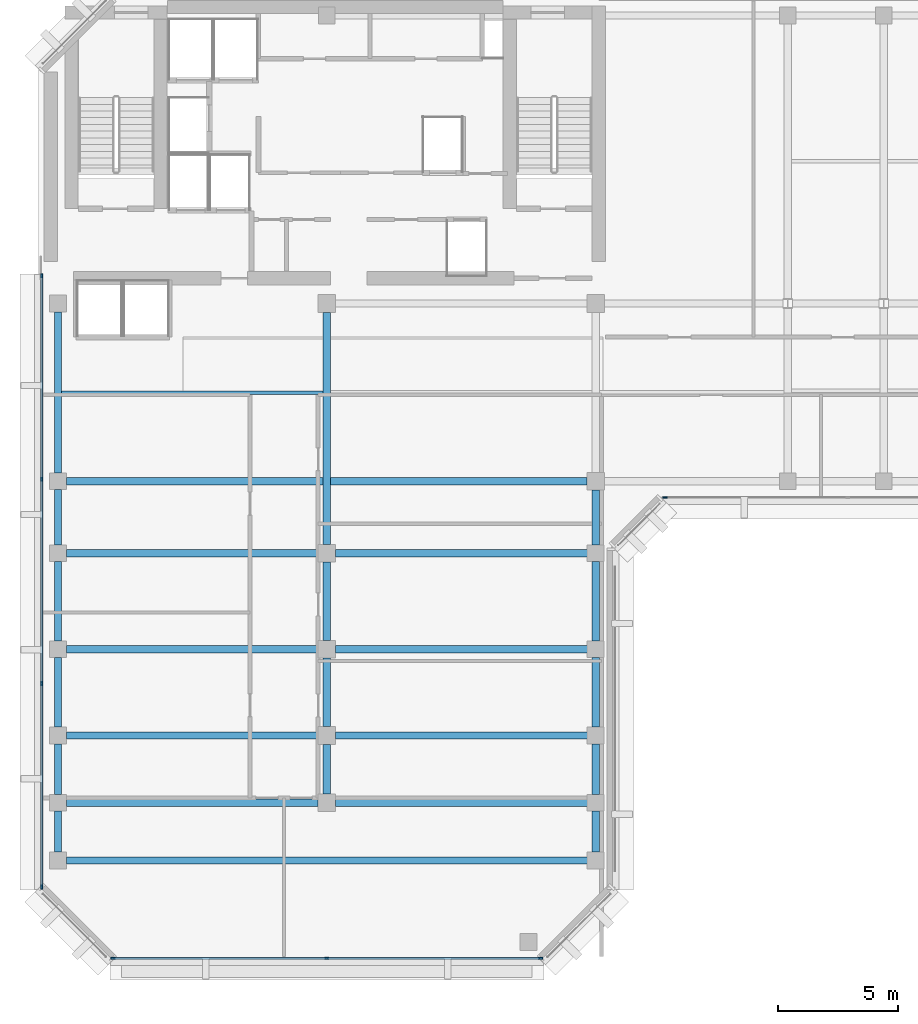
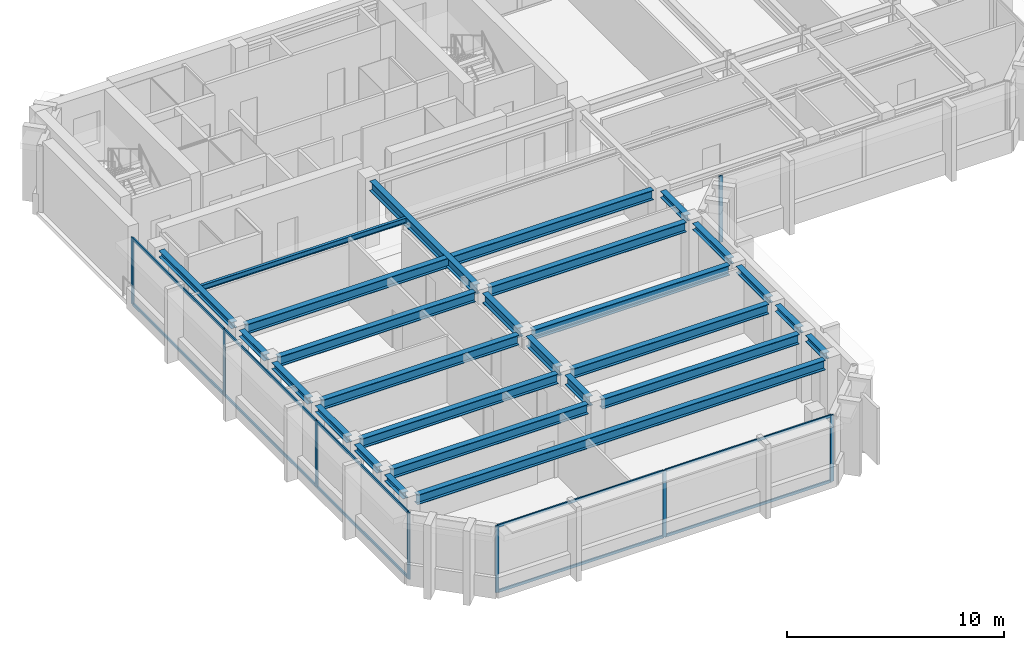
# One storey, part 2 of 11: 26 beams, 18 members, 3 elements without a shape of their own.
"""IFC4 building model written with IfcOpenShell, lengths in metres."""

from ifc_helpers import new_model, si_unit, direction, frame, origin, origin_2d, place, context, subcontext, project, spatial, rectangle, i_section, extrude, material, layer, layer_set, material_profile, profile_set, type_object, element, aggregate, save


model = new_model("IFC4")

# Units and contexts
model_context = context("Model", 3, precision=1e-05, world=origin(), true_north=direction((0.0, 1.0)))
body_context = subcontext(model_context, "Body", "Model", "MODEL_VIEW")
ifc_project = project(units=[si_unit("LENGTHUNIT", "METRE"), si_unit("AREAUNIT", "SQUARE_METRE"), si_unit("VOLUMEUNIT", "CUBIC_METRE"), si_unit("PLANEANGLEUNIT", "RADIAN"), si_unit("MASSUNIT", "GRAM", prefix="KILO")], contexts=[model_context])

# Site, building, storey
site_placement = place(None, origin())
site = spatial("IfcSite", under=ifc_project, at=site_placement, CompositionType="ELEMENT")
building_placement = place(site_placement, origin())
building = spatial("IfcBuilding", under=site, at=building_placement, Name="Kefirva Bronze Tower", CompositionType="ELEMENT")
storey_placement = place(building_placement, frame((0.0, 0.0, 299.969970703125)))
storey = spatial("IfcBuildingStorey", under=building, at=storey_placement, Name="L73", CompositionType="ELEMENT", Elevation=299.969970703125)

# Curtain wall, members
ifc_material_1 = material(Name="Bronze anodised aluminium", Category="aluminium")
ifc_layer = layer(ifc_material_1, 0.179931640625, Name="Bronze anodised aluminium")
ifc_layer_set = layer_set([ifc_layer], Name="Bronze anodised aluminium")
curtain_wall_type = type_object("IfcCurtainWallType", Name="Unitised Bronze Ribbon Curtain Wall Zone 4", PredefinedType="USERDEFINED", material=ifc_layer_set)
curtain_wall_1_placement = place(storey_placement, origin())
curtain_wall_1 = element("IfcCurtainWall", 1, at=curtain_wall_1_placement, inside=storey, type_object=curtain_wall_type, Name="L73 Curtain Wall 1", ObjectType="UNITISED CURTAIN WALL", PredefinedType="USERDEFINED")
ifc_material_profile_1 = material_profile(ifc_material_1, rectangle(XDim=0.074951171875, YDim=0.179931640625, at=origin_2d()), Name="ALU 75x180")
ifc_profile_set_1 = profile_set([ifc_material_profile_1], Name="Bronze anodised aluminium")
member_type_1 = type_object("IfcMemberType", Name="Bronze Mullion 75x180", PredefinedType="MULLION", material=ifc_profile_set_1)
member_1_placement = place(storey_placement, frame((3.092529296875, 5.919921875, 0.0), z_axis=(0.0, 0.0, 1.0), x_axis=(0.0, 1.0, 0.0)))
member_1 = element("IfcMember", 2, at=member_1_placement, type_object=member_type_1, Name="CW-04 mullion 1", PredefinedType="MULLION", context=body_context, shape_type="SweptSolid", body=[
    extrude(rectangle(XDim=0.074951171875, YDim=0.179931640625, at=origin_2d()), origin(), (0.0, 0.0, 1.0), 3.739990234375),
])
member_2_placement = place(storey_placement, frame((12.0, 5.919921875, 0.0), z_axis=(0.0, 0.0, 1.0), x_axis=(0.0, 1.0, 0.0)))
member_2 = element("IfcMember", 3, at=member_2_placement, type_object=member_type_1, Name="CW-04 mullion 2", PredefinedType="MULLION", context=body_context, shape_type="SweptSolid", body=[
    extrude(rectangle(XDim=0.074951171875, YDim=0.179931640625, at=origin_2d()), origin(), (0.0, 0.0, 1.0), 3.739990234375),
])
member_3_placement = place(storey_placement, frame((20.907470703125, 5.919921875, 0.0), z_axis=(0.0, 0.0, 1.0), x_axis=(0.0, 1.0, 0.0)))
member_3 = element("IfcMember", 4, at=member_3_placement, type_object=member_type_1, Name="CW-04 mullion 3", PredefinedType="MULLION", context=body_context, shape_type="SweptSolid", body=[
    extrude(rectangle(XDim=0.074951171875, YDim=0.179931640625, at=origin_2d()), origin(), (0.0, 0.0, 1.0), 3.739990234375),
])

# Curtain wall, member
curtain_wall_2_placement = place(storey_placement, origin())
curtain_wall_2 = element("IfcCurtainWall", 5, at=curtain_wall_2_placement, inside=storey, type_object=curtain_wall_type, Name="L73 Curtain Wall 2", ObjectType="UNITISED CURTAIN WALL", PredefinedType="USERDEFINED")
member_4_placement = place(storey_placement, frame((26.092529296875, 25.1201171875, 0.0), z_axis=(0.0, 0.0, 1.0), x_axis=(0.0, 1.0, 0.0)))
member_4 = element("IfcMember", 6, at=member_4_placement, type_object=member_type_1, Name="CW-04 mullion 1", PredefinedType="MULLION", context=body_context, shape_type="SweptSolid", body=[
    extrude(rectangle(XDim=0.074951171875, YDim=0.179931640625, at=origin_2d()), origin(), (0.0, 0.0, 1.0), 3.739990234375),
])
aggregate(curtain_wall_2, [member_4])

# Curtain wall, members
curtain_wall_3_placement = place(storey_placement, origin())
curtain_wall_3 = element("IfcCurtainWall", 7, at=curtain_wall_3_placement, inside=storey, type_object=curtain_wall_type, Name="L73 Curtain Wall 5", ObjectType="UNITISED CURTAIN WALL", PredefinedType="USERDEFINED")
member_5_placement = place(storey_placement, frame((0.1201171875, 34.357421875, 0.0), z_axis=(0.0, 0.0, 1.0), x_axis=(1.0, 0.0, 0.0)))
member_5 = element("IfcMember", 8, at=member_5_placement, type_object=member_type_1, Name="CW-04 mullion 1", PredefinedType="MULLION", context=body_context, shape_type="SweptSolid", body=[
    extrude(rectangle(XDim=0.074951171875, YDim=0.179931640625, at=origin_2d()), origin(), (0.0, 0.0, 1.0), 3.739990234375),
])
member_6_placement = place(storey_placement, frame((0.1201171875, 25.881591796875, 0.0), z_axis=(0.0, 0.0, 1.0), x_axis=(1.0, 0.0, 0.0)))
member_6 = element("IfcMember", 9, at=member_6_placement, type_object=member_type_1, Name="CW-04 mullion 2", PredefinedType="MULLION", context=body_context, shape_type="SweptSolid", body=[
    extrude(rectangle(XDim=0.074951171875, YDim=0.179931640625, at=origin_2d()), origin(), (0.0, 0.0, 1.0), 3.739990234375),
])
member_7_placement = place(storey_placement, frame((0.1201171875, 17.368408203125, 0.0), z_axis=(0.0, 0.0, 1.0), x_axis=(1.0, 0.0, 0.0)))
member_7 = element("IfcMember", 10, at=member_7_placement, type_object=member_type_1, Name="CW-04 mullion 3", PredefinedType="MULLION", context=body_context, shape_type="SweptSolid", body=[
    extrude(rectangle(XDim=0.074951171875, YDim=0.179931640625, at=origin_2d()), origin(), (0.0, 0.0, 1.0), 3.739990234375),
])
member_8_placement = place(storey_placement, frame((0.1201171875, 8.892578125, 0.0), z_axis=(0.0, 0.0, 1.0), x_axis=(1.0, 0.0, 0.0)))
member_8 = element("IfcMember", 11, at=member_8_placement, type_object=member_type_1, Name="CW-04 mullion 4", PredefinedType="MULLION", context=body_context, shape_type="SweptSolid", body=[
    extrude(rectangle(XDim=0.074951171875, YDim=0.179931640625, at=origin_2d()), origin(), (0.0, 0.0, 1.0), 3.739990234375),
])

# Member
ifc_material_profile_2 = material_profile(ifc_material_1, rectangle(XDim=0.074951171875, YDim=0.14990234375, at=origin_2d()), Name="ALU 75x150")
ifc_profile_set_2 = profile_set([ifc_material_profile_2], Name="Bronze anodised aluminium")
member_type_2 = type_object("IfcMemberType", Name="Bronze Transom 75x150", PredefinedType="USERDEFINED", material=ifc_profile_set_2)
member_9_placement = place(storey_placement, frame((3.1298828125, 5.919921875, 0.03759765625), z_axis=(1.0, 0.0, 0.0), x_axis=(0.0, 1.0, 0.0)))
member_9 = element("IfcMember", 12, at=member_9_placement, type_object=member_type_2, Name="CW-04 transom 1.1", ObjectType="TRANSOM", PredefinedType="USERDEFINED", context=body_context, shape_type="SweptSolid", body=[
    extrude(rectangle(XDim=0.074951171875, YDim=0.14990234375, at=origin_2d()), origin(), (0.0, 0.0, 1.0), 8.83251953125),
])

member_10_placement = place(storey_placement, frame((3.1298828125, 5.919921875, 3.70263671875), z_axis=(1.0, 0.0, 0.0), x_axis=(0.0, 1.0, 0.0)))
member_10 = element("IfcMember", 13, at=member_10_placement, type_object=member_type_2, Name="CW-04 transom 1.2", ObjectType="TRANSOM", PredefinedType="USERDEFINED", context=body_context, shape_type="SweptSolid", body=[
    extrude(rectangle(XDim=0.074951171875, YDim=0.14990234375, at=origin_2d()), origin(), (0.0, 0.0, 1.0), 8.83251953125),
])

member_11_placement = place(storey_placement, frame((12.03759765625, 5.919921875, 0.03759765625), z_axis=(1.0, 0.0, 0.0), x_axis=(0.0, 1.0, 0.0)))
member_11 = element("IfcMember", 14, at=member_11_placement, type_object=member_type_2, Name="CW-04 transom 2.1", ObjectType="TRANSOM", PredefinedType="USERDEFINED", context=body_context, shape_type="SweptSolid", body=[
    extrude(rectangle(XDim=0.074951171875, YDim=0.14990234375, at=origin_2d()), origin(), (0.0, 0.0, 1.0), 8.83251953125),
])

member_12_placement = place(storey_placement, frame((12.03759765625, 5.919921875, 3.70263671875), z_axis=(1.0, 0.0, 0.0), x_axis=(0.0, 1.0, 0.0)))
member_12 = element("IfcMember", 15, at=member_12_placement, type_object=member_type_2, Name="CW-04 transom 2.2", ObjectType="TRANSOM", PredefinedType="USERDEFINED", context=body_context, shape_type="SweptSolid", body=[
    extrude(rectangle(XDim=0.074951171875, YDim=0.14990234375, at=origin_2d()), origin(), (0.0, 0.0, 1.0), 8.83251953125),
])

aggregate(curtain_wall_1, [member_1, member_2, member_3, member_9, member_10, member_11, member_12])

member_13_placement = place(storey_placement, frame((0.1201171875, 34.320068359375, 0.03759765625), z_axis=(0.0, -1.0, 0.0), x_axis=(1.0, 0.0, 0.0)))
member_13 = element("IfcMember", 16, at=member_13_placement, type_object=member_type_2, Name="CW-04 transom 1.1", ObjectType="TRANSOM", PredefinedType="USERDEFINED", context=body_context, shape_type="SweptSolid", body=[
    extrude(rectangle(XDim=0.074951171875, YDim=0.14990234375, at=origin_2d()), origin(), (0.0, 0.0, 1.0), 8.40087890625),
])

member_14_placement = place(storey_placement, frame((0.1201171875, 34.320068359375, 3.70263671875), z_axis=(0.0, -1.0, 0.0), x_axis=(1.0, 0.0, 0.0)))
member_14 = element("IfcMember", 17, at=member_14_placement, type_object=member_type_2, Name="CW-04 transom 1.2", ObjectType="TRANSOM", PredefinedType="USERDEFINED", context=body_context, shape_type="SweptSolid", body=[
    extrude(rectangle(XDim=0.074951171875, YDim=0.14990234375, at=origin_2d()), origin(), (0.0, 0.0, 1.0), 8.40087890625),
])

member_15_placement = place(storey_placement, frame((0.1201171875, 25.84423828125, 0.03759765625), z_axis=(0.0, -1.0, 0.0), x_axis=(1.0, 0.0, 0.0)))
member_15 = element("IfcMember", 18, at=member_15_placement, type_object=member_type_2, Name="CW-04 transom 2.1", ObjectType="TRANSOM", PredefinedType="USERDEFINED", context=body_context, shape_type="SweptSolid", body=[
    extrude(rectangle(XDim=0.074951171875, YDim=0.14990234375, at=origin_2d()), origin(), (0.0, 0.0, 1.0), 8.4384765625),
])

member_16_placement = place(storey_placement, frame((0.1201171875, 25.84423828125, 3.70263671875), z_axis=(0.0, -1.0, 0.0), x_axis=(1.0, 0.0, 0.0)))
member_16 = element("IfcMember", 19, at=member_16_placement, type_object=member_type_2, Name="CW-04 transom 2.2", ObjectType="TRANSOM", PredefinedType="USERDEFINED", context=body_context, shape_type="SweptSolid", body=[
    extrude(rectangle(XDim=0.074951171875, YDim=0.14990234375, at=origin_2d()), origin(), (0.0, 0.0, 1.0), 8.4384765625),
])

member_17_placement = place(storey_placement, frame((0.1201171875, 17.330810546875, 0.03759765625), z_axis=(0.0, -1.0, 0.0), x_axis=(1.0, 0.0, 0.0)))
member_17 = element("IfcMember", 20, at=member_17_placement, type_object=member_type_2, Name="CW-04 transom 3.1", ObjectType="TRANSOM", PredefinedType="USERDEFINED", context=body_context, shape_type="SweptSolid", body=[
    extrude(rectangle(XDim=0.074951171875, YDim=0.14990234375, at=origin_2d()), origin(), (0.0, 0.0, 1.0), 8.40087890625),
])

member_18_placement = place(storey_placement, frame((0.1201171875, 17.330810546875, 3.70263671875), z_axis=(0.0, -1.0, 0.0), x_axis=(1.0, 0.0, 0.0)))
member_18 = element("IfcMember", 21, at=member_18_placement, type_object=member_type_2, Name="CW-04 transom 3.2", ObjectType="TRANSOM", PredefinedType="USERDEFINED", context=body_context, shape_type="SweptSolid", body=[
    extrude(rectangle(XDim=0.074951171875, YDim=0.14990234375, at=origin_2d()), origin(), (0.0, 0.0, 1.0), 8.40087890625),
])

aggregate(curtain_wall_3, [member_5, member_6, member_7, member_8, member_13, member_14, member_15, member_16, member_17, member_18])

# Beams
ifc_material_2 = material(Name="Steel S355", Category="steel")
ifc_material_profile_3 = material_profile(ifc_material_2, i_section(OverallWidth=0.14990234375, OverallDepth=0.300048828125, WebThickness=0.007080078125, FlangeThickness=0.0107421875, at=origin_2d()), Name="IPE 300")
ifc_profile_set_3 = profile_set([ifc_material_profile_3], Name="Steel S355")
beam_type_1 = type_object("IfcBeamType", Name="Steel Floor Joist IPE 300", PredefinedType="JOIST", material=ifc_profile_set_3)
beam_1_placement = place(storey_placement, frame((0.949951171875, 29.489990234375, 3.590087890625), z_axis=(1.0, 0.0, 0.0), x_axis=(0.0, 1.0, 0.0)))
element("IfcBeam", 22, at=beam_1_placement, inside=storey, type_object=beam_type_1, Name="L73 JST-L73-0-294", PredefinedType="JOIST", context=body_context, shape_type="SweptSolid", body=[
    extrude(i_section(OverallWidth=0.14990234375, OverallDepth=0.300048828125, WebThickness=0.007080078125, FlangeThickness=0.0107421875, at=origin_2d()), origin(), (0.0, 0.0, 1.0), 10.900146484375),
])
ifc_material_profile_4 = material_profile(ifc_material_2, i_section(OverallWidth=0.300048828125, OverallDepth=0.550048828125, WebThickness=0.014892578125, FlangeThickness=0.029052734375, at=origin_2d()), Name="HEB 550")
ifc_profile_set_4 = profile_set([ifc_material_profile_4], Name="Steel S355")
beam_type_2 = type_object("IfcBeamType", Name="Steel Girder HEB 550", PredefinedType="USERDEFINED", material=ifc_profile_set_4)
beam_2_placement = place(storey_placement, frame((1.14990234375, 10.0, 3.465087890625), z_axis=(1.0, 0.0, 0.0), x_axis=(0.0, 1.0, 0.0)))
element("IfcBeam", 23, at=beam_2_placement, inside=storey, type_object=beam_type_2, Name="L73 BM-L73-EW-0-100", ObjectType="GIRDER", PredefinedType="USERDEFINED", context=body_context, shape_type="SweptSolid", body=[
    extrude(i_section(OverallWidth=0.300048828125, OverallDepth=0.550048828125, WebThickness=0.014892578125, FlangeThickness=0.029052734375, at=origin_2d()), origin(), (0.0, 0.0, 1.0), 21.7001953125),
])
for number, where, z_axis, x_axis, name in (
    (24, (1.14990234375, 12.39990234375, 3.465087890625), (1.0, 0.0, 0.0), (0.0, 1.0, 0.0), "L73 BM-L73-EW-0-124"),
    (25, (12.3701171875, 12.39990234375, 3.465087890625), (1.0, 0.0, 0.0), (0.0, 1.0, 0.0), "L73 BM-L73-EW-12-124"),
    (26, (1.14990234375, 15.199951171875, 3.465087890625), (1.0, 0.0, 0.0), (0.0, 1.0, 0.0), "L73 BM-L73-EW-0-152"),
    (27, (12.3701171875, 15.199951171875, 3.465087890625), (1.0, 0.0, 0.0), (0.0, 1.0, 0.0), "L73 BM-L73-EW-12-152"),
    (28, (1.14990234375, 18.800048828125, 3.465087890625), (1.0, 0.0, 0.0), (0.0, 1.0, 0.0), "L73 BM-L73-EW-0-188"),
    (29, (12.3701171875, 18.800048828125, 3.465087890625), (1.0, 0.0, 0.0), (0.0, 1.0, 0.0), "L73 BM-L73-EW-12-188"),
    (30, (1.14990234375, 22.800048828125, 3.465087890625), (1.0, 0.0, 0.0), (0.0, 1.0, 0.0), "L73 BM-L73-EW-0-228"),
    (31, (12.3701171875, 22.800048828125, 3.465087890625), (1.0, 0.0, 0.0), (0.0, 1.0, 0.0), "L73 BM-L73-EW-12-228"),
):
    element("IfcBeam", number, at=place(storey_placement, frame(where, z_axis=z_axis, x_axis=x_axis)), inside=storey, type_object=beam_type_2, Name=name, ObjectType="GIRDER", PredefinedType="USERDEFINED", context=body_context, shape_type="SweptSolid", body=[
        extrude(i_section(OverallWidth=0.300048828125, OverallDepth=0.550048828125, WebThickness=0.014892578125, FlangeThickness=0.029052734375, at=origin_2d()), origin(), (0.0, 0.0, 1.0), 10.47998046875),
    ])
beam_3_placement = place(storey_placement, frame((1.14990234375, 25.800048828125, 3.465087890625), z_axis=(1.0, 0.0, 0.0), x_axis=(0.0, 1.0, 0.0)))
element("IfcBeam", 32, at=beam_3_placement, inside=storey, type_object=beam_type_2, Name="L73 BM-L73-EW-0-258", ObjectType="GIRDER", PredefinedType="USERDEFINED", context=body_context, shape_type="SweptSolid", body=[
    extrude(i_section(OverallWidth=0.300048828125, OverallDepth=0.550048828125, WebThickness=0.014892578125, FlangeThickness=0.029052734375, at=origin_2d()), origin(), (0.0, 0.0, 1.0), 21.68017578125),
])
beam_4_placement = place(storey_placement, frame((12.0, 12.77001953125, 3.465087890625), z_axis=(0.0, 1.0, 0.0), x_axis=(-1.0, 0.0, 0.0)))
element("IfcBeam", 33, at=beam_4_placement, inside=storey, type_object=beam_type_2, Name="L73 BM-L73-NS-120-12", ObjectType="GIRDER", PredefinedType="USERDEFINED", context=body_context, shape_type="SweptSolid", body=[
    extrude(i_section(OverallWidth=0.300048828125, OverallDepth=0.550048828125, WebThickness=0.014892578125, FlangeThickness=0.029052734375, at=origin_2d()), origin(), (0.0, 0.0, 1.0), 2.06005859375),
])
beam_5_placement = place(storey_placement, frame((12.0, 15.570068359375, 3.465087890625), z_axis=(0.0, 1.0, 0.0), x_axis=(-1.0, 0.0, 0.0)))
element("IfcBeam", 34, at=beam_5_placement, inside=storey, type_object=beam_type_2, Name="L73 BM-L73-NS-120-15", ObjectType="GIRDER", PredefinedType="USERDEFINED", context=body_context, shape_type="SweptSolid", body=[
    extrude(i_section(OverallWidth=0.300048828125, OverallDepth=0.550048828125, WebThickness=0.014892578125, FlangeThickness=0.029052734375, at=origin_2d()), origin(), (0.0, 0.0, 1.0), 2.85986328125),
])
beam_6_placement = place(storey_placement, frame((12.0, 19.169921875, 3.465087890625), z_axis=(0.0, 1.0, 0.0), x_axis=(-1.0, 0.0, 0.0)))
element("IfcBeam", 35, at=beam_6_placement, inside=storey, type_object=beam_type_2, Name="L73 BM-L73-NS-120-18", ObjectType="GIRDER", PredefinedType="USERDEFINED", context=body_context, shape_type="SweptSolid", body=[
    extrude(i_section(OverallWidth=0.300048828125, OverallDepth=0.550048828125, WebThickness=0.014892578125, FlangeThickness=0.029052734375, at=origin_2d()), origin(), (0.0, 0.0, 1.0), 3.260009765625),
])
beam_7_placement = place(storey_placement, frame((12.0, 23.169921875, 3.465087890625), z_axis=(0.0, 1.0, 0.0), x_axis=(-1.0, 0.0, 0.0)))
element("IfcBeam", 36, at=beam_7_placement, inside=storey, type_object=beam_type_2, Name="L73 BM-L73-NS-120-22", ObjectType="GIRDER", PredefinedType="USERDEFINED", context=body_context, shape_type="SweptSolid", body=[
    extrude(i_section(OverallWidth=0.300048828125, OverallDepth=0.550048828125, WebThickness=0.014892578125, FlangeThickness=0.029052734375, at=origin_2d()), origin(), (0.0, 0.0, 1.0), 9.66015625),
])
ifc_material_profile_5 = material_profile(ifc_material_2, i_section(OverallWidth=0.300048828125, OverallDepth=0.360107421875, WebThickness=0.012451171875, FlangeThickness=0.0224609375, at=origin_2d()), Name="HEB 360")
ifc_profile_set_5 = profile_set([ifc_material_profile_5], Name="Steel S355")
beam_type_3 = type_object("IfcBeamType", Name="Steel Spandrel HEB 360 Ext", PredefinedType="SPANDREL", material=ifc_profile_set_5)
beam_8_placement = place(storey_placement, frame((0.800048828125, 10.35009765625, 3.56005859375), z_axis=(0.0, 1.0, 0.0), x_axis=(-1.0, 0.0, 0.0)))
element("IfcBeam", 37, at=beam_8_placement, inside=storey, type_object=beam_type_3, Name="L73 BM-L73-NS-8-10", PredefinedType="SPANDREL", context=body_context, shape_type="SweptSolid", body=[
    extrude(i_section(OverallWidth=0.300048828125, OverallDepth=0.360107421875, WebThickness=0.012451171875, FlangeThickness=0.0224609375, at=origin_2d()), origin(), (0.0, 0.0, 1.0), 1.699951171875),
])
beam_9_placement = place(storey_placement, frame((0.800048828125, 12.75, 3.56005859375), z_axis=(0.0, 1.0, 0.0), x_axis=(-1.0, 0.0, 0.0)))
element("IfcBeam", 38, at=beam_9_placement, inside=storey, type_object=beam_type_3, Name="L73 BM-L73-NS-8-12", PredefinedType="SPANDREL", context=body_context, shape_type="SweptSolid", body=[
    extrude(i_section(OverallWidth=0.300048828125, OverallDepth=0.360107421875, WebThickness=0.012451171875, FlangeThickness=0.0224609375, at=origin_2d()), origin(), (0.0, 0.0, 1.0), 2.10009765625),
])
beam_10_placement = place(storey_placement, frame((0.800048828125, 15.550048828125, 3.56005859375), z_axis=(0.0, 1.0, 0.0), x_axis=(-1.0, 0.0, 0.0)))
element("IfcBeam", 39, at=beam_10_placement, inside=storey, type_object=beam_type_3, Name="L73 BM-L73-NS-8-15", PredefinedType="SPANDREL", context=body_context, shape_type="SweptSolid", body=[
    extrude(i_section(OverallWidth=0.300048828125, OverallDepth=0.360107421875, WebThickness=0.012451171875, FlangeThickness=0.0224609375, at=origin_2d()), origin(), (0.0, 0.0, 1.0), 2.89990234375),
])
beam_11_placement = place(storey_placement, frame((0.800048828125, 19.14990234375, 3.56005859375), z_axis=(0.0, 1.0, 0.0), x_axis=(-1.0, 0.0, 0.0)))
element("IfcBeam", 40, at=beam_11_placement, inside=storey, type_object=beam_type_3, Name="L73 BM-L73-NS-8-18", PredefinedType="SPANDREL", context=body_context, shape_type="SweptSolid", body=[
    extrude(i_section(OverallWidth=0.300048828125, OverallDepth=0.360107421875, WebThickness=0.012451171875, FlangeThickness=0.0224609375, at=origin_2d()), origin(), (0.0, 0.0, 1.0), 3.300048828125),
])
beam_12_placement = place(storey_placement, frame((0.800048828125, 23.14990234375, 3.56005859375), z_axis=(0.0, 1.0, 0.0), x_axis=(-1.0, 0.0, 0.0)))
element("IfcBeam", 41, at=beam_12_placement, inside=storey, type_object=beam_type_3, Name="L73 BM-L73-NS-8-22", PredefinedType="SPANDREL", context=body_context, shape_type="SweptSolid", body=[
    extrude(i_section(OverallWidth=0.300048828125, OverallDepth=0.360107421875, WebThickness=0.012451171875, FlangeThickness=0.0224609375, at=origin_2d()), origin(), (0.0, 0.0, 1.0), 2.300048828125),
])
beam_13_placement = place(storey_placement, frame((0.800048828125, 26.14990234375, 3.56005859375), z_axis=(0.0, 1.0, 0.0), x_axis=(-1.0, 0.0, 0.0)))
element("IfcBeam", 42, at=beam_13_placement, inside=storey, type_object=beam_type_3, Name="L73 BM-L73-NS-8-25", PredefinedType="SPANDREL", context=body_context, shape_type="SweptSolid", body=[
    extrude(i_section(OverallWidth=0.300048828125, OverallDepth=0.360107421875, WebThickness=0.012451171875, FlangeThickness=0.0224609375, at=origin_2d()), origin(), (0.0, 0.0, 1.0), 6.7001953125),
])
beam_14_placement = place(storey_placement, frame((23.199951171875, 10.35009765625, 3.56005859375), z_axis=(0.0, 1.0, 0.0), x_axis=(-1.0, 0.0, 0.0)))
element("IfcBeam", 43, at=beam_14_placement, inside=storey, type_object=beam_type_3, Name="L73 BM-L73-NS-232-10", PredefinedType="SPANDREL", context=body_context, shape_type="SweptSolid", body=[
    extrude(i_section(OverallWidth=0.300048828125, OverallDepth=0.360107421875, WebThickness=0.012451171875, FlangeThickness=0.0224609375, at=origin_2d()), origin(), (0.0, 0.0, 1.0), 1.699951171875),
])
beam_15_placement = place(storey_placement, frame((23.199951171875, 12.75, 3.56005859375), z_axis=(0.0, 1.0, 0.0), x_axis=(-1.0, 0.0, 0.0)))
element("IfcBeam", 44, at=beam_15_placement, inside=storey, type_object=beam_type_3, Name="L73 BM-L73-NS-232-12", PredefinedType="SPANDREL", context=body_context, shape_type="SweptSolid", body=[
    extrude(i_section(OverallWidth=0.300048828125, OverallDepth=0.360107421875, WebThickness=0.012451171875, FlangeThickness=0.0224609375, at=origin_2d()), origin(), (0.0, 0.0, 1.0), 2.10009765625),
])
beam_16_placement = place(storey_placement, frame((23.199951171875, 15.550048828125, 3.56005859375), z_axis=(0.0, 1.0, 0.0), x_axis=(-1.0, 0.0, 0.0)))
element("IfcBeam", 45, at=beam_16_placement, inside=storey, type_object=beam_type_3, Name="L73 BM-L73-NS-232-15", PredefinedType="SPANDREL", context=body_context, shape_type="SweptSolid", body=[
    extrude(i_section(OverallWidth=0.300048828125, OverallDepth=0.360107421875, WebThickness=0.012451171875, FlangeThickness=0.0224609375, at=origin_2d()), origin(), (0.0, 0.0, 1.0), 2.89990234375),
])
beam_17_placement = place(storey_placement, frame((23.199951171875, 19.14990234375, 3.56005859375), z_axis=(0.0, 1.0, 0.0), x_axis=(-1.0, 0.0, 0.0)))
element("IfcBeam", 46, at=beam_17_placement, inside=storey, type_object=beam_type_3, Name="L73 BM-L73-NS-232-18", PredefinedType="SPANDREL", context=body_context, shape_type="SweptSolid", body=[
    extrude(i_section(OverallWidth=0.300048828125, OverallDepth=0.360107421875, WebThickness=0.012451171875, FlangeThickness=0.0224609375, at=origin_2d()), origin(), (0.0, 0.0, 1.0), 3.300048828125),
])
beam_18_placement = place(storey_placement, frame((23.199951171875, 23.14990234375, 3.56005859375), z_axis=(0.0, 1.0, 0.0), x_axis=(-1.0, 0.0, 0.0)))
element("IfcBeam", 47, at=beam_18_placement, inside=storey, type_object=beam_type_3, Name="L73 BM-L73-NS-232-22", PredefinedType="SPANDREL", context=body_context, shape_type="SweptSolid", body=[
    extrude(i_section(OverallWidth=0.300048828125, OverallDepth=0.360107421875, WebThickness=0.012451171875, FlangeThickness=0.0224609375, at=origin_2d()), origin(), (0.0, 0.0, 1.0), 2.280029296875),
])

save(model, "model.ifc")
